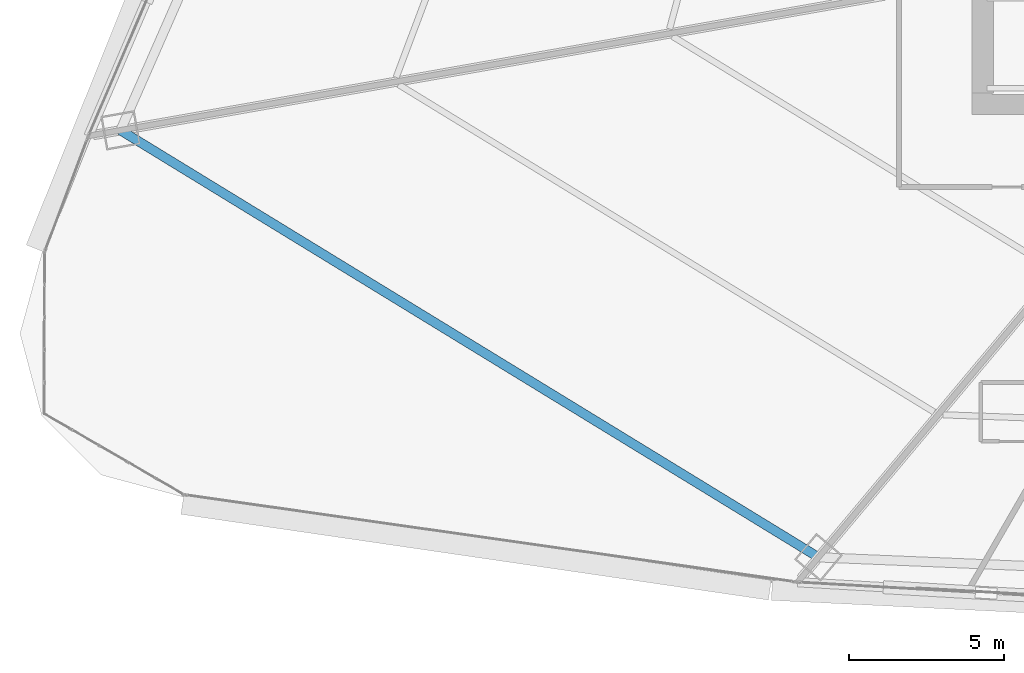
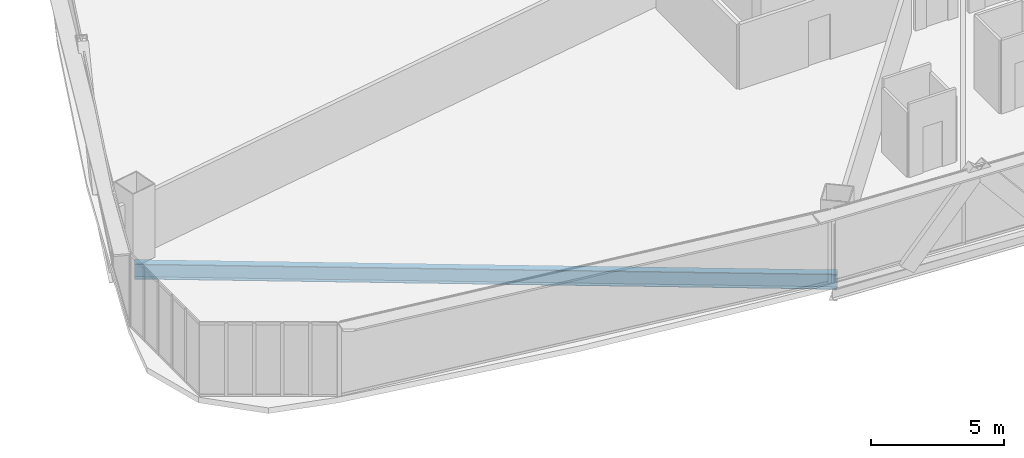
# One storey, part 5 of 40: 1 beam.
"""IFC4 building model written with IfcOpenShell, lengths in metres."""

import ifcopenshell
import ifcopenshell.guid

model = None  # the IFC model being written
_history = None  # IfcOwnerHistory: only IFC2X3 demands one
_inside = {}  # id of a spatial element -> (the spatial element, [elements in it])
_under = {}  # id of a project, library or spatial element -> (it, [spatial elements below it])
_declared = {}  # id of a project -> (the project, [libraries it declares])
_typed = {}  # id of a type object -> (the type object, [elements of that type])
_made_of = {}  # id of a material, layer set ... -> (it, [elements and type objects made of it])


def new_model(schema):
    """Start an empty IFC model of exactly this schema.

    Asked for "IFC4X3", IfcOpenShell would pick the latest addendum, in which some entities
    have other attributes; the version numbers below select the first issue.
    IFC2X3 requires an IfcOwnerHistory on every rooted entity: one is made here for all.
    """
    global model, _history
    if schema == "IFC4X3":
        model = ifcopenshell.file(schema_version=(4, 3, 0, 0))
    else:
        model = ifcopenshell.file(schema=schema)
    _inside.clear()
    _under.clear()
    _declared.clear()
    _typed.clear()
    _made_of.clear()
    _history = None
    if model.schema == "IFC2X3":
        org = make("IfcOrganization", Name="unknown")
        user = make(
            "IfcPersonAndOrganization",
            ThePerson=make("IfcPerson", FamilyName="unknown"),
            TheOrganization=org,
        )
        app = make(
            "IfcApplication",
            ApplicationDeveloper=org,
            Version="unknown",
            ApplicationFullName="unknown",
            ApplicationIdentifier="unknown",
        )
        _history = make(
            "IfcOwnerHistory",
            OwningUser=user,
            OwningApplication=app,
            ChangeAction="ADDED",
            CreationDate=0,
        )
    return model


def make(cls, **values):
    """One entity of the class cls with the attributes given. An attribute that is None is left unset."""
    return model.create_entity(
        cls, **{name: value for name, value in values.items() if value is not None}
    )


def rooted(cls, **values):
    """An entity with a GlobalId (a new one), such as an element, a storey or a relation."""
    return make(cls, GlobalId=ifcopenshell.guid.new(), OwnerHistory=_history, **values)


def si_unit(unit_type, name, prefix=None):
    """IfcSIUnit, for example si_unit("LENGTHUNIT", "METRE", prefix="MILLI")."""
    return make("IfcSIUnit", UnitType=unit_type, Prefix=prefix, Name=name)


def assignment(units):
    """IfcUnitAssignment: the units of a project."""
    return None if units is None else make("IfcUnitAssignment", Units=units)


def point(xyz):
    """IfcCartesianPoint."""
    return None if xyz is None else make("IfcCartesianPoint", Coordinates=xyz)


def direction(xyz):
    """IfcDirection."""
    return None if xyz is None else make("IfcDirection", DirectionRatios=xyz)


def frame(location, z_axis=None, x_axis=None):
    """IfcAxis2Placement3D, a coordinate frame: its origin and axes. An axis left out is left unset."""
    return make(
        "IfcAxis2Placement3D",
        Location=point(location),
        Axis=direction(z_axis),
        RefDirection=direction(x_axis),
    )


def frame_2d(location, x_axis=None):
    """IfcAxis2Placement2D, a coordinate frame in the plane: its origin and x axis."""
    return make(
        "IfcAxis2Placement2D", Location=point(location), RefDirection=direction(x_axis)
    )


def origin():
    """The frame at (0, 0, 0) with its axes left unset."""
    return frame((0.0, 0.0, 0.0))


def origin_2d():
    """The frame at (0, 0) in the plane with its x axis left unset."""
    return frame_2d((0.0, 0.0))


def place(relative_to, where):
    """IfcLocalPlacement: puts the frame where relative to a parent placement (None: the world)."""
    return make(
        "IfcLocalPlacement", PlacementRelTo=relative_to, RelativePlacement=where
    )


def context(
    kind, dimensions, precision=None, world=None, true_north=None, identifier=None
):
    """IfcGeometricRepresentationContext, for example the 3D "Model" context."""
    return make(
        "IfcGeometricRepresentationContext",
        ContextIdentifier=identifier,
        ContextType=kind,
        CoordinateSpaceDimension=dimensions,
        Precision=precision,
        WorldCoordinateSystem=world,
        TrueNorth=true_north,
    )


def subcontext(parent, identifier, kind, view, scale=None):
    """IfcGeometricRepresentationSubContext, for example "Body" below "Model"."""
    return make(
        "IfcGeometricRepresentationSubContext",
        ContextIdentifier=identifier,
        ContextType=kind,
        ParentContext=parent,
        TargetScale=scale,
        TargetView=view,
    )


def project(units=None, contexts=None):
    """IfcProject with its units and contexts."""
    return rooted(
        "IfcProject",
        Name="project",
        RepresentationContexts=contexts,
        UnitsInContext=assignment(units),
    )


def spatial(cls, under=None, at=None, **own):
    """A site, building, storey or space (cls), placed at a placement, below another one or the project."""
    s = rooted(cls, ObjectPlacement=at, **own)
    if under is not None:
        _under.setdefault(under.id(), (under, []))[1].append(s)
    return s


def profile(cls, at=None, kind="AREA", **sizes):
    """A parametric profile (cls). Its sizes go by their IFC names, for example OverallWidth=200.0."""
    return make(cls, ProfileType=kind, Position=at, **sizes)


def i_section(**sizes):
    """IfcIShapeProfileDef."""
    return profile("IfcIShapeProfileDef", **sizes)


def extrude(swept, where, along, depth):
    """IfcExtrudedAreaSolid: the profile swept, set in the frame where, extruded along a direction by depth."""
    return make(
        "IfcExtrudedAreaSolid",
        SweptArea=swept,
        Position=where,
        ExtrudedDirection=direction(along),
        Depth=depth,
    )


def shape(context_of_items, identifier, shape_type, items):
    """IfcShapeRepresentation: the items that make up one representation, for example the "Body"."""
    return make(
        "IfcShapeRepresentation",
        ContextOfItems=context_of_items,
        RepresentationIdentifier=identifier,
        RepresentationType=shape_type,
        Items=items,
    )


def source(mapping_origin, context_of_items, identifier, shape_type, items):
    """IfcRepresentationMap: a shape defined once, which mapped items show again and again."""
    return make(
        "IfcRepresentationMap",
        MappingOrigin=mapping_origin,
        MappedRepresentation=shape(context_of_items, identifier, shape_type, items),
    )


def transform(
    local_origin,
    x_axis=None,
    y_axis=None,
    z_axis=None,
    scale=None,
    scale2=None,
    scale3=None,
    uniform=True,
):
    """IfcCartesianTransformationOperator3D, or its non-uniform kind. x_axis, y_axis, z_axis: its Axis1, 2, 3."""
    if uniform:
        return make(
            "IfcCartesianTransformationOperator3D",
            Axis1=direction(x_axis),
            Axis2=direction(y_axis),
            LocalOrigin=point(local_origin),
            Scale=scale,
            Axis3=direction(z_axis),
        )
    return make(
        "IfcCartesianTransformationOperator3DnonUniform",
        Axis1=direction(x_axis),
        Axis2=direction(y_axis),
        LocalOrigin=point(local_origin),
        Scale=scale,
        Axis3=direction(z_axis),
        Scale2=scale2,
        Scale3=scale3,
    )


def mapped(mapping_source, mapping_target):
    """IfcMappedItem: shows the shape of a source again, moved by a transform."""
    return make(
        "IfcMappedItem", MappingSource=mapping_source, MappingTarget=mapping_target
    )


def material(Name=None, Category=None):
    """IfcMaterial."""
    return make("IfcMaterial", Name=Name, Category=Category)


def material_profile(
    of_material, cross_section, Name=None, Category=None, Priority=None
):
    """IfcMaterialProfile: a cross section and its material."""
    return make(
        "IfcMaterialProfile",
        Name=Name,
        Material=of_material,
        Profile=cross_section,
        Priority=Priority,
        Category=Category,
    )


def profile_set(profiles, Name=None, composite=None):
    """IfcMaterialProfileSet."""
    return make(
        "IfcMaterialProfileSet",
        Name=Name,
        MaterialProfiles=profiles,
        CompositeProfile=composite,
    )


def made_of(thing, what):
    """Note that an element or type object is made of a material, layer set ...; save() writes the relation."""
    if what is not None:
        _made_of.setdefault(what.id(), (what, []))[1].append(thing)
    return thing


def type_object(cls, material=None, **own):
    """A type object (cls), such as IfcWallType, which elements share."""
    return made_of(rooted(cls, **own), material)


def element(
    cls,
    number,
    at=None,
    inside=None,
    cuts=None,
    type_object=None,
    material=None,
    context=None,
    identifier="Body",
    shape_type=None,
    held_by="IfcProductDefinitionShape",
    body=None,
    shapes=None,
    **own,
):
    """One element of the class cls, such as IfcWall. Its Tag is "e" and its number.

    at: its placement. inside: the storey or other place that contains it. cuts: it is an
    opening in that element (IfcRelVoidsElement). A single representation is given by context,
    identifier, shape_type and body (its items); several are given by shapes. held_by: the class
    of the entity that holds the representations. save() writes the other relations.
    """
    e = rooted(cls, Tag="e%d" % number, ObjectPlacement=at, **own)
    if body is not None:
        shapes = [shape(context, identifier, shape_type, body)]
    if shapes is not None:
        e.Representation = make(held_by, Representations=shapes)
    if inside is not None:
        _inside.setdefault(inside.id(), (inside, []))[1].append(e)
    if cuts is not None:
        rooted(
            "IfcRelVoidsElement", RelatingBuildingElement=cuts, RelatedOpeningElement=e
        )
    if type_object is not None:
        _typed.setdefault(type_object.id(), (type_object, []))[1].append(e)
    return made_of(e, material)


def aggregate(whole, parts):
    """IfcRelAggregates: a whole, such as a stair, and the parts it consists of."""
    return rooted("IfcRelAggregates", RelatingObject=whole, RelatedObjects=parts)


def save(model, path):
    """Write the relations noted so far, then the file.

    IfcRelAggregates (storeys below a building ...), IfcRelContainedInSpatialStructure (elements
    in a storey), IfcRelDefinesByType, IfcRelAssociatesMaterial and IfcRelDeclares: one each for
    every whole, place, type object, material and project.
    """
    for whole, parts in _under.values():
        aggregate(whole, parts)
    for where, things in _inside.values():
        rooted(
            "IfcRelContainedInSpatialStructure",
            RelatedElements=things,
            RelatingStructure=where,
        )
    for kind, things in _typed.values():
        rooted("IfcRelDefinesByType", RelatedObjects=things, RelatingType=kind)
    for what, things in _made_of.values():
        rooted("IfcRelAssociatesMaterial", RelatedObjects=things, RelatingMaterial=what)
    for by, libraries in _declared.values():
        rooted("IfcRelDeclares", RelatingContext=by, RelatedDefinitions=libraries)
    model.write(path)


model = new_model("IFC4")

# Units and contexts
model_context = context("Model", 3, precision=1e-05, world=origin(), true_north=direction((0.0, 1.0)))
body_context = subcontext(model_context, "Body", "Model", "MODEL_VIEW")
ifc_project = project(units=[si_unit("LENGTHUNIT", "METRE"), si_unit("AREAUNIT", "SQUARE_METRE"), si_unit("VOLUMEUNIT", "CUBIC_METRE"), si_unit("PLANEANGLEUNIT", "RADIAN"), si_unit("MASSUNIT", "GRAM", prefix="KILO"), si_unit("THERMODYNAMICTEMPERATUREUNIT", "KELVIN"), si_unit("POWERUNIT", "WATT")], contexts=[model_context])

# Site, building, storey
site_placement = place(None, origin())
site = spatial("IfcSite", under=ifc_project, at=site_placement, CompositionType="ELEMENT")
building_placement = place(site_placement, origin())
building = spatial("IfcBuilding", under=site, at=building_placement, Name="Yunzhuo Pagoda Commons", CompositionType="ELEMENT")
storey_placement = place(building_placement, frame((0.0, 0.0, 66.699951171875)))
storey = spatial("IfcBuildingStorey", under=building, at=storey_placement, Name="L17", CompositionType="ELEMENT", Elevation=66.699951171875)

# Beam
ifc_material = material(Name="Structural steel Q355B", Category="steel")
ifc_material_profile = material_profile(ifc_material, i_section(OverallWidth=0.300048828125, OverallDepth=0.699951171875, WebThickness=0.012939453125, FlangeThickness=0.02392578125, at=origin_2d()), Name="Structural steel Q355B")
ifc_profile_set = profile_set([ifc_material_profile], Name="Structural steel Q355B")
beam_type = type_object("IfcBeamType", Name="B-RG1 Beam HN 700x300x13x24", PredefinedType="BEAM", material=ifc_profile_set)
shared_shape = source(origin(), body_context, "Body", "SweptSolid", [
    extrude(i_section(OverallWidth=0.300048828125, OverallDepth=0.699951171875, WebThickness=0.012939453125, FlangeThickness=0.02392578125, at=origin_2d()), origin(), (0.0, 0.0, 1.0), 26.432373046875),
])
beam_placement = place(storey_placement, frame((7.952392578125, 26.638427734375, -0.60986328125), z_axis=(0.853031728928, -0.521859051318, 0.0), x_axis=(0.521859051318, 0.853031728928, 0.0)))
element("IfcBeam", 1, at=beam_placement, inside=storey, type_object=beam_type, Name="L17 column-ring beam 12", PredefinedType="BEAM", context=body_context, shape_type="MappedRepresentation", body=[
    mapped(shared_shape, transform((0.0, 0.0, 0.0), scale=1.0)),
])

save(model, "model.ifc")
